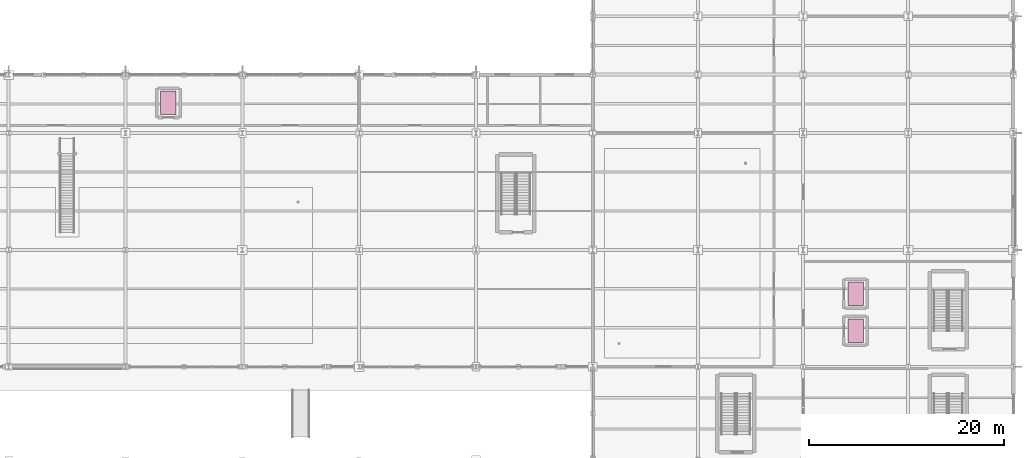
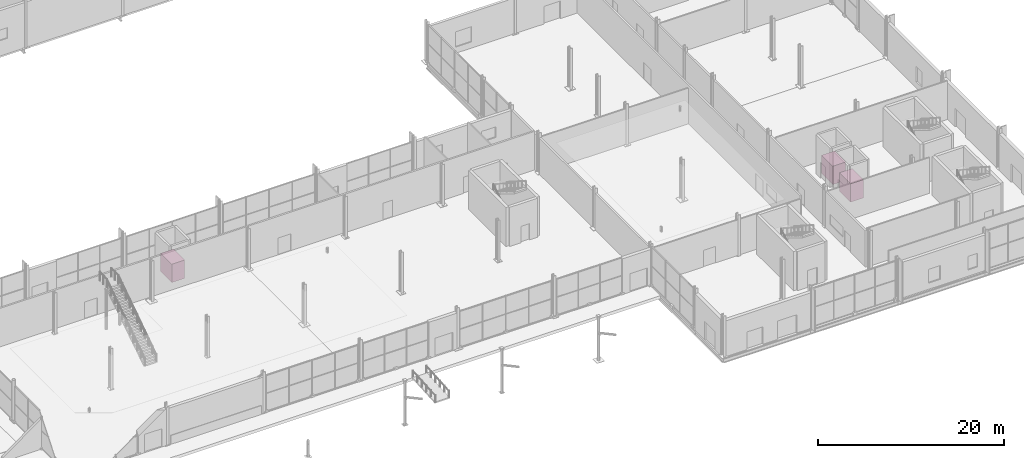
# One storey, part 196 of 196: 3 transport elements.
"""IFC4 building model written with IfcOpenShell, lengths in metres."""

from ifc_helpers import new_model, si_unit, direction, frame, origin, origin_2d, place, context, subcontext, project, spatial, rectangle, extrude, material, type_object, element, save


model = new_model("IFC4")

# Units and contexts
model_context = context("Model", 3, precision=1e-05, world=origin(), true_north=direction((0.0, 1.0)))
body_context = subcontext(model_context, "Body", "Model", "MODEL_VIEW")
ifc_project = project(units=[si_unit("LENGTHUNIT", "METRE"), si_unit("AREAUNIT", "SQUARE_METRE"), si_unit("VOLUMEUNIT", "CUBIC_METRE"), si_unit("PLANEANGLEUNIT", "RADIAN"), si_unit("MASSUNIT", "GRAM", prefix="KILO")], contexts=[model_context])

# Site, building, storey
site_placement = place(None, origin())
site = spatial("IfcSite", under=ifc_project, at=site_placement, CompositionType="ELEMENT")
building_placement = place(site_placement, origin())
building = spatial("IfcBuilding", under=site, at=building_placement, Name="Merenkruunu Market Hall", CompositionType="ELEMENT")
storey_placement = place(building_placement, origin())
storey = spatial("IfcBuildingStorey", under=building, at=storey_placement, Name="L00", CompositionType="ELEMENT", Elevation=0.0)

# Transport elements
ifc_material = material(Name="Brushed stainless steel", Category="steel")
transport_element_type = type_object("IfcTransportElementType", Name="Public Stretcher Lift LFT01", PredefinedType="ELEVATOR", material=ifc_material)
for number, where, z_axis, x_axis, name in (
    (1, (105.199951171875, 42.699951171875, 0.0), (0.0, 0.0, 1.0), (1.0, 0.0, 0.0), "Elevator LP3"),
    (2, (175.800048828125, 19.300048828125, 0.0), (0.0, 0.0, 1.0), (1.0, 0.0, 0.0), "Elevator LP4"),
    (3, (175.800048828125, 23.10009765625, 0.0), (0.0, 0.0, 1.0), (1.0, 0.0, 0.0), "Elevator LP5"),
):
    element("IfcTransportElement", number, at=place(storey_placement, frame(where, z_axis=z_axis, x_axis=x_axis)), inside=storey, type_object=transport_element_type, Name=name, PredefinedType="ELEVATOR", context=body_context, shape_type="SweptSolid", body=[
        extrude(rectangle(XDim=1.60009765625, YDim=2.39990234375, at=origin_2d()), origin(), (0.0, 0.0, 1.0), 2.39990234375),
    ])

save(model, "model.ifc")
